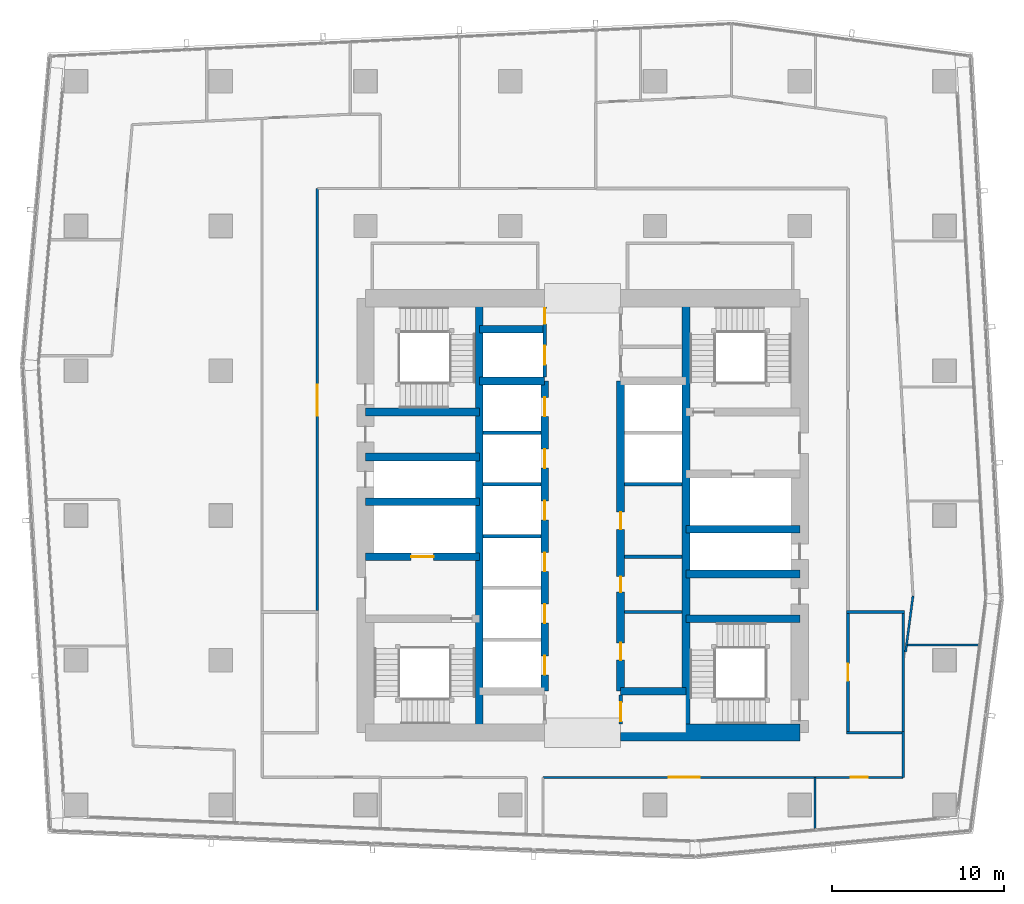
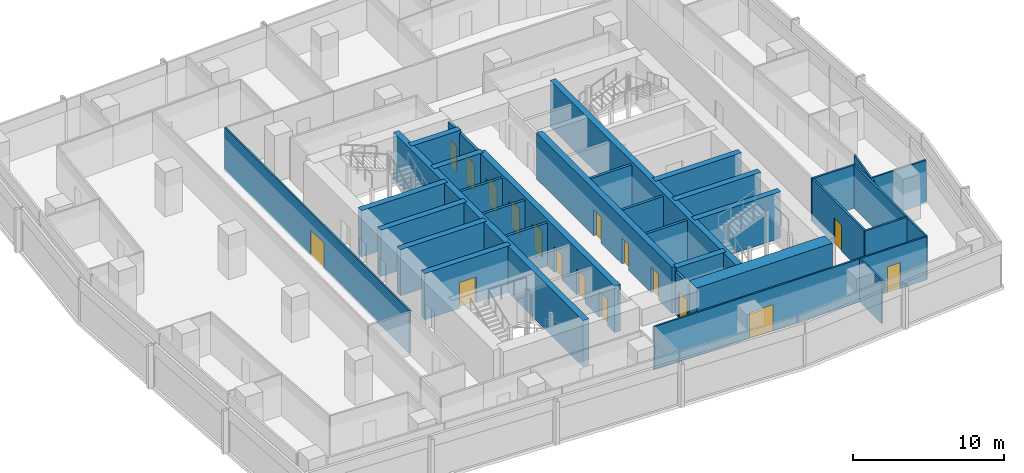
# One storey, part 28 of 38: 35 walls, 17 doors, 17 openings.
"""IFC4 building model written with IfcOpenShell, lengths in metres."""

from ifc_helpers import new_model, si_unit, direction, frame, frame_2d, origin, place, context, subcontext, project, spatial, rectangle, extrude, material, layer, layer_set, type_object, element, fill, save


model = new_model("IFC4")

# Units and contexts
model_context = context("Model", 3, precision=1e-05, world=origin(), true_north=direction((0.0, 1.0)))
body_context = subcontext(model_context, "Body", "Model", "MODEL_VIEW")
ifc_project = project(units=[si_unit("LENGTHUNIT", "METRE"), si_unit("AREAUNIT", "SQUARE_METRE"), si_unit("VOLUMEUNIT", "CUBIC_METRE"), si_unit("PLANEANGLEUNIT", "RADIAN"), si_unit("MASSUNIT", "GRAM", prefix="KILO")], contexts=[model_context])

# Site, building, storey
site_placement = place(None, origin())
site = spatial("IfcSite", under=ifc_project, at=site_placement, CompositionType="ELEMENT")
building_placement = place(site_placement, origin())
building = spatial("IfcBuilding", under=site, at=building_placement, Name="Rekha Terrace Tower", CompositionType="ELEMENT")
storey_placement = place(building_placement, frame((0.0, 0.0, 198.949951171875)))
storey = spatial("IfcBuildingStorey", under=building, at=storey_placement, Name="L50", CompositionType="ELEMENT", Elevation=198.949951171875)

# Walls
ifc_material_1 = material(Name="Concrete M60", Category="concrete")
ifc_layer_1 = layer(ifc_material_1, 0.449951171875)
ifc_layer_set_1 = layer_set([ifc_layer_1], Name="Concrete M60")
wall_type_1 = type_object("IfcWallType", Name="CI3 450 core internal shear wall", PredefinedType="SHEAR", material=ifc_layer_set_1)
for number, where, z_axis, x_axis, name in (
    (1, (31.800048828125, 21.0, 0.0), (0.0, 0.0, 1.0), (0.0, 1.0, 0.0), "Core wall X318 L50"),
    (2, (43.800048828125, 21.0, 0.0), (0.0, 0.0, 1.0), (0.0, 1.0, 0.0), "Core wall X438 L50"),
):
    element("IfcWall", number, at=place(storey_placement, frame(where, z_axis=z_axis, x_axis=x_axis)), inside=storey, type_object=wall_type_1, Name=name, PredefinedType="SHEAR", context=body_context, shape_type="SweptSolid", body=[
        extrude(rectangle(XDim=25.199951171875, YDim=0.449951171875, at=frame_2d((12.60009765625, 0.0))), origin(), (0.0, 0.0, 1.0), 3.75),
    ])

# Wall, openings, doors
wall_1_placement = place(storey_placement, frame((35.60009765625, 23.39990234375, 0.0), z_axis=(0.0, 0.0, 1.0), x_axis=(0.0, 1.0, 0.0)))
wall_1 = element("IfcWall", 3, at=wall_1_placement, inside=storey, type_object=wall_type_1, Name="Core wall X356 L50", PredefinedType="SHEAR", context=body_context, shape_type="SweptSolid", body=[
    extrude(rectangle(XDim=18.0, YDim=0.449951171875, at=frame_2d((9.0, 0.0))), origin(), (0.0, 0.0, 1.0), 3.75),
])
opening_1_placement = place(wall_1_placement, frame((0.949951171875, 0.0, 0.0)))
opening_1 = element("IfcOpeningElement", 4, at=opening_1_placement, cuts=wall_1, Name="Opening LD1", PredefinedType="OPENING", context=body_context, shape_type="SweptSolid", body=[
    extrude(rectangle(XDim=1.10009765625, YDim=2.10009765625, at=frame_2d((0.550048828125, 1.050048828125))), frame((0.0, 0.23486328125, 0.0), z_axis=(0.0, -1.0, 0.0), x_axis=(1.0, 0.0, 0.0)), (0.0, 0.0, 1.0), 0.469970703125),
])
opening_2_placement = place(wall_1_placement, frame((3.949951171875, 0.0, 0.0)))
opening_2 = element("IfcOpeningElement", 5, at=opening_2_placement, cuts=wall_1, Name="Opening LD1", PredefinedType="OPENING", context=body_context, shape_type="SweptSolid", body=[
    extrude(rectangle(XDim=1.10009765625, YDim=2.10009765625, at=frame_2d((0.550048828125, 1.050048828125))), frame((0.0, 0.23486328125, 0.0), z_axis=(0.0, -1.0, 0.0), x_axis=(1.0, 0.0, 0.0)), (0.0, 0.0, 1.0), 0.469970703125),
])
opening_3_placement = place(wall_1_placement, frame((6.949951171875, 0.0, 0.0)))
opening_3 = element("IfcOpeningElement", 6, at=opening_3_placement, cuts=wall_1, Name="Opening LD1", PredefinedType="OPENING", context=body_context, shape_type="SweptSolid", body=[
    extrude(rectangle(XDim=1.10009765625, YDim=2.10009765625, at=frame_2d((0.550048828125, 1.050048828125))), frame((0.0, 0.23486328125, 0.0), z_axis=(0.0, -1.0, 0.0), x_axis=(1.0, 0.0, 0.0)), (0.0, 0.0, 1.0), 0.469970703125),
])
opening_4_placement = place(wall_1_placement, frame((9.949951171875, 0.0, 0.0)))
opening_4 = element("IfcOpeningElement", 7, at=opening_4_placement, cuts=wall_1, Name="Opening LD1", PredefinedType="OPENING", context=body_context, shape_type="SweptSolid", body=[
    extrude(rectangle(XDim=1.10009765625, YDim=2.10009765625, at=frame_2d((0.550048828125, 1.050048828125))), frame((0.0, 0.23486328125, 0.0), z_axis=(0.0, -1.0, 0.0), x_axis=(1.0, 0.0, 0.0)), (0.0, 0.0, 1.0), 0.469970703125),
])
opening_5_placement = place(wall_1_placement, frame((12.949951171875, 0.0, 0.0)))
opening_5 = element("IfcOpeningElement", 8, at=opening_5_placement, cuts=wall_1, Name="Opening LD1", PredefinedType="OPENING", context=body_context, shape_type="SweptSolid", body=[
    extrude(rectangle(XDim=1.10009765625, YDim=2.10009765625, at=frame_2d((0.550048828125, 1.050048828125))), frame((0.0, 0.23486328125, 0.0), z_axis=(0.0, -1.0, 0.0), x_axis=(1.0, 0.0, 0.0)), (0.0, 0.0, 1.0), 0.469970703125),
])
opening_6_placement = place(wall_1_placement, frame((15.949951171875, 0.0, 0.0)))
opening_6 = element("IfcOpeningElement", 9, at=opening_6_placement, cuts=wall_1, Name="Opening LD1", PredefinedType="OPENING", context=body_context, shape_type="SweptSolid", body=[
    extrude(rectangle(XDim=1.10009765625, YDim=2.10009765625, at=frame_2d((0.550048828125, 1.050048828125))), frame((0.0, 0.23486328125, 0.0), z_axis=(0.0, -1.0, 0.0), x_axis=(1.0, 0.0, 0.0)), (0.0, 0.0, 1.0), 0.469970703125),
])
ifc_material_2 = material(Name="Stainless steel sliding landing door", Category="steel")
door_type_1 = type_object("IfcDoorType", Name="LD1 1100x2100 lift landing door", OperationType="SLIDING_TO_LEFT", PredefinedType="USERDEFINED", material=ifc_material_2)
door_1_placement = place(opening_1_placement, origin())
door_1 = element("IfcDoor", 10, at=door_1_placement, inside=storey, type_object=door_type_1, Name="Lift C1 landing door L50", ObjectType="LIFT LANDING DOOR", OperationType="SLIDING_TO_LEFT", OverallHeight=2.10009765625, OverallWidth=1.10009765625, PredefinedType="USERDEFINED", context=body_context, shape_type="SweptSolid", body=[
    extrude(rectangle(XDim=1.10009765625, YDim=2.10009765625, at=frame_2d((0.550048828125, 1.050048828125))), frame((0.0, 0.02490234375, 0.0), z_axis=(0.0, -1.0, 0.0), x_axis=(1.0, 0.0, 0.0)), (0.0, 0.0, 1.0), 0.050048828125),
])
fill(opening_1, door_1)
door_2_placement = place(opening_2_placement, origin())
door_2 = element("IfcDoor", 11, at=door_2_placement, inside=storey, type_object=door_type_1, Name="Lift C2 landing door L50", ObjectType="LIFT LANDING DOOR", OperationType="SLIDING_TO_LEFT", OverallHeight=2.10009765625, OverallWidth=1.10009765625, PredefinedType="USERDEFINED", context=body_context, shape_type="SweptSolid", body=[
    extrude(rectangle(XDim=1.10009765625, YDim=2.10009765625, at=frame_2d((0.550048828125, 1.050048828125))), frame((0.0, 0.02490234375, 0.0), z_axis=(0.0, -1.0, 0.0), x_axis=(1.0, 0.0, 0.0)), (0.0, 0.0, 1.0), 0.050048828125),
])
fill(opening_2, door_2)
door_3_placement = place(opening_3_placement, origin())
door_3 = element("IfcDoor", 12, at=door_3_placement, inside=storey, type_object=door_type_1, Name="Lift C3 landing door L50", ObjectType="LIFT LANDING DOOR", OperationType="SLIDING_TO_LEFT", OverallHeight=2.10009765625, OverallWidth=1.10009765625, PredefinedType="USERDEFINED", context=body_context, shape_type="SweptSolid", body=[
    extrude(rectangle(XDim=1.10009765625, YDim=2.10009765625, at=frame_2d((0.550048828125, 1.050048828125))), frame((0.0, 0.02490234375, 0.0), z_axis=(0.0, -1.0, 0.0), x_axis=(1.0, 0.0, 0.0)), (0.0, 0.0, 1.0), 0.050048828125),
])
fill(opening_3, door_3)
door_4_placement = place(opening_4_placement, origin())
door_4 = element("IfcDoor", 13, at=door_4_placement, inside=storey, type_object=door_type_1, Name="Lift C4 landing door L50", ObjectType="LIFT LANDING DOOR", OperationType="SLIDING_TO_LEFT", OverallHeight=2.10009765625, OverallWidth=1.10009765625, PredefinedType="USERDEFINED", context=body_context, shape_type="SweptSolid", body=[
    extrude(rectangle(XDim=1.10009765625, YDim=2.10009765625, at=frame_2d((0.550048828125, 1.050048828125))), frame((0.0, 0.02490234375, 0.0), z_axis=(0.0, -1.0, 0.0), x_axis=(1.0, 0.0, 0.0)), (0.0, 0.0, 1.0), 0.050048828125),
])
fill(opening_4, door_4)
door_5_placement = place(opening_5_placement, origin())
door_5 = element("IfcDoor", 14, at=door_5_placement, inside=storey, type_object=door_type_1, Name="Lift C5 landing door L50", ObjectType="LIFT LANDING DOOR", OperationType="SLIDING_TO_LEFT", OverallHeight=2.10009765625, OverallWidth=1.10009765625, PredefinedType="USERDEFINED", context=body_context, shape_type="SweptSolid", body=[
    extrude(rectangle(XDim=1.10009765625, YDim=2.10009765625, at=frame_2d((0.550048828125, 1.050048828125))), frame((0.0, 0.02490234375, 0.0), z_axis=(0.0, -1.0, 0.0), x_axis=(1.0, 0.0, 0.0)), (0.0, 0.0, 1.0), 0.050048828125),
])
fill(opening_5, door_5)
door_6_placement = place(opening_6_placement, origin())
door_6 = element("IfcDoor", 15, at=door_6_placement, inside=storey, type_object=door_type_1, Name="Lift C6 landing door L50", ObjectType="LIFT LANDING DOOR", OperationType="SLIDING_TO_LEFT", OverallHeight=2.10009765625, OverallWidth=1.10009765625, PredefinedType="USERDEFINED", context=body_context, shape_type="SweptSolid", body=[
    extrude(rectangle(XDim=1.10009765625, YDim=2.10009765625, at=frame_2d((0.550048828125, 1.050048828125))), frame((0.0, 0.02490234375, 0.0), z_axis=(0.0, -1.0, 0.0), x_axis=(1.0, 0.0, 0.0)), (0.0, 0.0, 1.0), 0.050048828125),
])
fill(opening_6, door_6)

wall_2_placement = place(storey_placement, frame((40.0, 23.39990234375, 0.0), z_axis=(0.0, 0.0, 1.0), x_axis=(0.0, 1.0, 0.0)))
wall_2 = element("IfcWall", 16, at=wall_2_placement, inside=storey, type_object=wall_type_1, Name="Core wall X400 L50", PredefinedType="SHEAR", context=body_context, shape_type="SweptSolid", body=[
    extrude(rectangle(XDim=18.0, YDim=0.449951171875, at=frame_2d((9.0, 0.0))), origin(), (0.0, 0.0, 1.0), 3.75),
])
opening_7_placement = place(wall_2_placement, frame((1.800048828125, 0.0, 0.0)))
opening_7 = element("IfcOpeningElement", 17, at=opening_7_placement, cuts=wall_2, Name="Opening D3", PredefinedType="OPENING", context=body_context, shape_type="SweptSolid", body=[
    extrude(rectangle(XDim=1.0, YDim=2.10009765625, at=frame_2d((0.5, 1.050048828125))), frame((0.0, 0.23486328125, 0.0), z_axis=(0.0, -1.0, 0.0), x_axis=(1.0, 0.0, 0.0)), (0.0, 0.0, 1.0), 0.469970703125),
])
opening_8_placement = place(wall_2_placement, frame((5.75, 0.0, 0.0)))
opening_8 = element("IfcOpeningElement", 18, at=opening_8_placement, cuts=wall_2, Name="Opening D5", PredefinedType="OPENING", context=body_context, shape_type="SweptSolid", body=[
    extrude(rectangle(XDim=0.89990234375, YDim=2.10009765625, at=frame_2d((0.449951171875, 1.050048828125))), frame((0.0, 0.23486328125, 0.0), z_axis=(0.0, -1.0, 0.0), x_axis=(1.0, 0.0, 0.0)), (0.0, 0.0, 1.0), 0.469970703125),
])
opening_9_placement = place(wall_2_placement, frame((9.39990234375, 0.0, 0.0)))
opening_9 = element("IfcOpeningElement", 19, at=opening_9_placement, cuts=wall_2, Name="Opening D3", PredefinedType="OPENING", context=body_context, shape_type="SweptSolid", body=[
    extrude(rectangle(XDim=1.0, YDim=2.10009765625, at=frame_2d((0.5, 1.050048828125))), frame((0.0, 0.23486328125, 0.0), z_axis=(0.0, -1.0, 0.0), x_axis=(1.0, 0.0, 0.0)), (0.0, 0.0, 1.0), 0.469970703125),
])
ifc_material_3 = material(Name="Laminated timber fire door", Category="wood")
door_type_2 = type_object("IfcDoorType", Name="D3 1000x2100 WC door", OperationType="SINGLE_SWING_LEFT", PredefinedType="DOOR", material=ifc_material_3)
door_7_placement = place(opening_7_placement, origin())
door_7 = element("IfcDoor", 20, at=door_7_placement, inside=storey, type_object=door_type_2, Name="Door staff wc L50", OperationType="SINGLE_SWING_LEFT", OverallHeight=2.10009765625, OverallWidth=1.0, PredefinedType="DOOR", context=body_context, shape_type="SweptSolid", body=[
    extrude(rectangle(XDim=1.0, YDim=2.10009765625, at=frame_2d((0.5, 1.050048828125))), frame((0.0, 0.02490234375, 0.0), z_axis=(0.0, -1.0, 0.0), x_axis=(1.0, 0.0, 0.0)), (0.0, 0.0, 1.0), 0.050048828125),
])
fill(opening_7, door_7)
door_8_placement = place(opening_9_placement, origin())
door_8 = element("IfcDoor", 21, at=door_8_placement, inside=storey, type_object=door_type_2, Name="Door staff wc L50", OperationType="SINGLE_SWING_LEFT", OverallHeight=2.10009765625, OverallWidth=1.0, PredefinedType="DOOR", context=body_context, shape_type="SweptSolid", body=[
    extrude(rectangle(XDim=1.0, YDim=2.10009765625, at=frame_2d((0.5, 1.050048828125))), frame((0.0, 0.02490234375, 0.0), z_axis=(0.0, -1.0, 0.0), x_axis=(1.0, 0.0, 0.0)), (0.0, 0.0, 1.0), 0.050048828125),
])
fill(opening_9, door_8)
ifc_material_4 = material(Name="Steel fire door", Category="steel")
door_type_3 = type_object("IfcDoorType", Name="D5 900x2100 riser access door", OperationType="SINGLE_SWING_LEFT", PredefinedType="DOOR", material=ifc_material_4)
door_9_placement = place(opening_8_placement, origin())
door_9 = element("IfcDoor", 22, at=door_9_placement, inside=storey, type_object=door_type_3, Name="Door records store L50", OperationType="SINGLE_SWING_LEFT", OverallHeight=2.10009765625, OverallWidth=0.89990234375, PredefinedType="DOOR", context=body_context, shape_type="SweptSolid", body=[
    extrude(rectangle(XDim=0.89990234375, YDim=2.10009765625, at=frame_2d((0.449951171875, 1.050048828125))), frame((0.0, 0.02490234375, 0.0), z_axis=(0.0, -1.0, 0.0), x_axis=(1.0, 0.0, 0.0)), (0.0, 0.0, 1.0), 0.050048828125),
])
fill(opening_8, door_9)

# Walls
for number, where, z_axis, x_axis, name in (
    (23, (31.800048828125, 41.39990234375, 0.0), (0.0, 0.0, 1.0), (1.0, 0.0, 0.0), "Core wall Y414W L50"),
    (24, (31.800048828125, 44.39990234375, 0.0), (0.0, 0.0, 1.0), (1.0, 0.0, 0.0), "Core wall Y444W L50"),
    (25, (40.0, 23.39990234375, 0.0), (0.0, 0.0, 1.0), (1.0, 0.0, 0.0), "Core wall Y234E L50"),
):
    element("IfcWall", number, at=place(storey_placement, frame(where, z_axis=z_axis, x_axis=x_axis)), inside=storey, type_object=wall_type_1, Name=name, PredefinedType="SHEAR", context=body_context, shape_type="SweptSolid", body=[
        extrude(rectangle(XDim=3.800048828125, YDim=0.449951171875, at=frame_2d((1.89990234375, 0.0))), origin(), (0.0, 0.0, 1.0), 3.75),
    ])

# Wall, opening, door
wall_3_placement = place(storey_placement, frame((25.199951171875, 31.199951171875, 0.0), z_axis=(0.0, 0.0, 1.0), x_axis=(1.0, 0.0, 0.0)))
wall_3 = element("IfcWall", 26, at=wall_3_placement, inside=storey, type_object=wall_type_1, Name="Core wall Y312W L50", PredefinedType="SHEAR", context=body_context, shape_type="SweptSolid", body=[
    extrude(rectangle(XDim=6.60009765625, YDim=0.449951171875, at=frame_2d((3.300048828125, 0.0))), origin(), (0.0, 0.0, 1.0), 3.75),
])
opening_10_placement = place(wall_3_placement, frame((2.64990234375, 0.0, 0.0)))
opening_10 = element("IfcOpeningElement", 27, at=opening_10_placement, cuts=wall_3, Name="Opening LD2", PredefinedType="OPENING", context=body_context, shape_type="SweptSolid", body=[
    extrude(rectangle(XDim=1.300048828125, YDim=2.10009765625, at=frame_2d((0.64990234375, 1.050048828125))), frame((0.0, 0.23486328125, 0.0), z_axis=(0.0, -1.0, 0.0), x_axis=(1.0, 0.0, 0.0)), (0.0, 0.0, 1.0), 0.469970703125),
])
door_type_4 = type_object("IfcDoorType", Name="LD2 1300x2100 fire lift landing door", OperationType="SLIDING_TO_LEFT", PredefinedType="USERDEFINED", material=ifc_material_2)
door_10_placement = place(opening_10_placement, origin())
door_10 = element("IfcDoor", 28, at=door_10_placement, inside=storey, type_object=door_type_4, Name="Lift FL1 landing door L50", ObjectType="LIFT LANDING DOOR", OperationType="SLIDING_TO_LEFT", OverallHeight=2.10009765625, OverallWidth=1.300048828125, PredefinedType="USERDEFINED", context=body_context, shape_type="SweptSolid", body=[
    extrude(rectangle(XDim=1.300048828125, YDim=2.10009765625, at=frame_2d((0.64990234375, 1.050048828125))), frame((0.0, 0.02490234375, 0.0), z_axis=(0.0, -1.0, 0.0), x_axis=(1.0, 0.0, 0.0)), (0.0, 0.0, 1.0), 0.050048828125),
])
fill(opening_10, door_10)

# Walls
for number, where, z_axis, x_axis, name in (
    (29, (25.199951171875, 34.39990234375, 0.0), (0.0, 0.0, 1.0), (1.0, 0.0, 0.0), "Core wall Y344W L50"),
    (30, (25.199951171875, 37.0, 0.0), (0.0, 0.0, 1.0), (1.0, 0.0, 0.0), "Core wall Y370W L50"),
    (31, (25.199951171875, 39.60009765625, 0.0), (0.0, 0.0, 1.0), (1.0, 0.0, 0.0), "Core wall Y396W L50"),
):
    element("IfcWall", number, at=place(storey_placement, frame(where, z_axis=z_axis, x_axis=x_axis)), inside=storey, type_object=wall_type_1, Name=name, PredefinedType="SHEAR", context=body_context, shape_type="SweptSolid", body=[
        extrude(rectangle(XDim=6.60009765625, YDim=0.449951171875, at=frame_2d((3.300048828125, 0.0))), origin(), (0.0, 0.0, 1.0), 3.75),
    ])
for number, where, z_axis, x_axis, name in (
    (32, (43.800048828125, 27.60009765625, 0.0), (0.0, 0.0, 1.0), (1.0, 0.0, 0.0), "Core wall Y276E L50"),
    (33, (43.800048828125, 30.199951171875, 0.0), (0.0, 0.0, 1.0), (1.0, 0.0, 0.0), "Core wall Y302E L50"),
    (34, (43.800048828125, 32.800048828125, 0.0), (0.0, 0.0, 1.0), (1.0, 0.0, 0.0), "Core wall Y328E L50"),
):
    element("IfcWall", number, at=place(storey_placement, frame(where, z_axis=z_axis, x_axis=x_axis)), inside=storey, type_object=wall_type_1, Name=name, PredefinedType="SHEAR", context=body_context, shape_type="SweptSolid", body=[
        extrude(rectangle(XDim=6.599853515625, YDim=0.449951171875, at=frame_2d((3.2998046875, 0.0))), origin(), (0.0, 0.0, 1.0), 3.75),
    ])
ifc_layer_2 = layer(ifc_material_1, 1.0)
ifc_layer_set_2 = layer_set([ifc_layer_2], Name="Concrete M60")
wall_type_2 = type_object("IfcWallType", Name="SW3 1000 core outer shear wall", PredefinedType="SHEAR", material=ifc_layer_set_2)
wall_4_placement = place(storey_placement, frame((40.0, 21.0, 0.0), z_axis=(0.0, 0.0, 1.0), x_axis=(1.0, 0.0, 0.0)))
element("IfcWall", 35, at=wall_4_placement, inside=storey, type_object=wall_type_2, Name="Core wall S2 L50", PredefinedType="SHEAR", context=body_context, shape_type="SweptSolid", body=[
    extrude(rectangle(XDim=10.39990234375, YDim=1.0, at=frame_2d((5.199951171875, 0.0))), origin(), (0.0, 0.0, 1.0), 3.75),
])
ifc_material_5 = material(Name="Concrete block masonry, 1 hour", Category="masonry")
ifc_layer_3 = layer(ifc_material_5, 0.14990234375)
ifc_layer_set_3 = layer_set([ifc_layer_3], Name="Concrete block masonry, 1 hour")
wall_type_3 = type_object("IfcWallType", Name="WP2 150 tenancy partition", PredefinedType="PARTITIONING", material=ifc_layer_set_3)
for number, where, z_axis, x_axis, name in (
    (36, (53.125, 21.0, 0.0), (0.0, 0.0, 1.0), (1.0, 0.0, 0.0), "Men's WC wall L50"),
    (37, (53.125, 28.0, 0.0), (0.0, 0.0, 1.0), (1.0, 0.0, 0.0), "Men's WC wall L50"),
):
    element("IfcWall", number, at=place(storey_placement, frame(where, z_axis=z_axis, x_axis=x_axis)), inside=storey, type_object=wall_type_3, Name=name, PredefinedType="PARTITIONING", context=body_context, shape_type="SweptSolid", body=[
        extrude(rectangle(XDim=3.35009765625, YDim=0.14990234375, at=frame_2d((1.675048828125, 0.0))), origin(), (0.0, 0.0, 1.0), 3.5),
    ])

# Wall, opening, door
wall_5_placement = place(storey_placement, frame((53.199951171875, 21.074951171875, 0.0), z_axis=(0.0, 0.0, 1.0), x_axis=(0.0, 1.0, 0.0)))
wall_5 = element("IfcWall", 38, at=wall_5_placement, inside=storey, type_object=wall_type_3, Name="Men's WC wall L50", PredefinedType="PARTITIONING", context=body_context, shape_type="SweptSolid", body=[
    extrude(rectangle(XDim=6.85009765625, YDim=0.14990234375, at=frame_2d((3.425048828125, 0.0))), origin(), (0.0, 0.0, 1.0), 3.5),
])
opening_11_placement = place(wall_5_placement, frame((2.925048828125, 0.0, 0.0)))
opening_11 = element("IfcOpeningElement", 39, at=opening_11_placement, cuts=wall_5, Name="Opening D3", PredefinedType="OPENING", context=body_context, shape_type="SweptSolid", body=[
    extrude(rectangle(XDim=1.0, YDim=2.10009765625, at=frame_2d((0.5, 1.050048828125))), frame((0.0, 0.0849609375, 0.0), z_axis=(0.0, -1.0, 0.0), x_axis=(1.0, 0.0, 0.0)), (0.0, 0.0, 1.0), 0.169921875),
])
door_11_placement = place(opening_11_placement, origin())
door_11 = element("IfcDoor", 40, at=door_11_placement, inside=storey, type_object=door_type_2, Name="Door men's wc L50", OperationType="SINGLE_SWING_LEFT", OverallHeight=2.10009765625, OverallWidth=1.0, PredefinedType="DOOR", context=body_context, shape_type="SweptSolid", body=[
    extrude(rectangle(XDim=1.0, YDim=2.10009765625, at=frame_2d((0.5, 1.050048828125))), frame((0.0, 0.02490234375, 0.0), z_axis=(0.0, -1.0, 0.0), x_axis=(1.0, 0.0, 0.0)), (0.0, 0.0, 1.0), 0.050048828125),
])
fill(opening_11, door_11)

# Walls
wall_6_placement = place(storey_placement, frame((56.39990234375, 21.074951171875, 0.0), z_axis=(0.0, 0.0, 1.0), x_axis=(0.0, 1.0, 0.0)))
element("IfcWall", 41, at=wall_6_placement, inside=storey, type_object=wall_type_3, Name="Men's WC wall L50", PredefinedType="PARTITIONING", context=body_context, shape_type="SweptSolid", body=[
    extrude(rectangle(XDim=6.85009765625, YDim=0.14990234375, at=frame_2d((3.425048828125, 0.0))), origin(), (0.0, 0.0, 1.0), 3.5),
])
ifc_material_6 = material(Name="Two layers of fire-rated gypsum board each side on steel studs, acoustic quilt, 1 hour", Category="steel")
ifc_layer_4 = layer(ifc_material_6, 0.125)
ifc_layer_set_4 = layer_set([ifc_layer_4], Name="Two layers of fire-rated gypsum board each side on steel studs, acoustic quilt, 1 hour")
wall_type_4 = type_object("IfcWallType", Name="WP3 125 office partition", PredefinedType="PARTITIONING", material=ifc_layer_set_4)
wall_7_placement = place(storey_placement, frame((51.291015625, 15.44189453125, 0.0), z_axis=(0.0, 0.0, 1.0), x_axis=(0.0, 1.0, 0.0)))
element("IfcWall", 42, at=wall_7_placement, inside=storey, type_object=wall_type_4, Name="Partition L50-02", PredefinedType="PARTITIONING", context=body_context, shape_type="SweptSolid", body=[
    extrude(rectangle(XDim=2.9580078125, YDim=0.125, at=frame_2d((1.47900390625, 0.0))), origin(), (0.0, 0.0, 1.0), 3.5),
])

# Wall, opening, door
wall_8_placement = place(storey_placement, frame((51.291015625, 18.39990234375, 0.0), z_axis=(0.0, 0.0, 1.0), x_axis=(1.0, 0.0, 0.0)))
wall_8 = element("IfcWall", 43, at=wall_8_placement, inside=storey, type_object=wall_type_4, Name="Partition L50-02", PredefinedType="PARTITIONING", context=body_context, shape_type="SweptSolid", body=[
    extrude(rectangle(XDim=5.10888671875, YDim=0.125, at=frame_2d((2.554443359375, 0.0))), origin(), (0.0, 0.0, 1.0), 3.5),
])
opening_12_placement = place(wall_8_placement, frame((2.054931640625, 0.0, 0.0)))
opening_12 = element("IfcOpeningElement", 44, at=opening_12_placement, cuts=wall_8, Name="Opening D9", PredefinedType="OPENING", context=body_context, shape_type="SweptSolid", body=[
    extrude(rectangle(XDim=1.0, YDim=2.10009765625, at=frame_2d((0.5, 1.050048828125))), frame((0.0, 0.072509765625, 0.0), z_axis=(0.0, -1.0, 0.0), x_axis=(1.0, 0.0, 0.0)), (0.0, 0.0, 1.0), 0.14501953125),
])
ifc_material_7 = material(Name="Timber fire door", Category="wood")
door_type_5 = type_object("IfcDoorType", Name="D9 1000x2100 office door", OperationType="SINGLE_SWING_LEFT", PredefinedType="DOOR", material=ifc_material_7)
door_12_placement = place(opening_12_placement, origin())
door_12 = element("IfcDoor", 45, at=door_12_placement, inside=storey, type_object=door_type_5, Name="Door director's office L50", OperationType="SINGLE_SWING_LEFT", OverallHeight=2.10009765625, OverallWidth=1.0, PredefinedType="DOOR", context=body_context, shape_type="SweptSolid", body=[
    extrude(rectangle(XDim=1.0, YDim=2.10009765625, at=frame_2d((0.5, 1.050048828125))), frame((0.0, 0.02490234375, 0.0), z_axis=(0.0, -1.0, 0.0), x_axis=(1.0, 0.0, 0.0)), (0.0, 0.0, 1.0), 0.050048828125),
])
fill(opening_12, door_12)

# Walls
wall_9_placement = place(storey_placement, frame((56.39990234375, 18.39990234375, 0.0), z_axis=(0.0, 0.0, 1.0), x_axis=(0.0, 1.0, 0.0)))
element("IfcWall", 46, at=wall_9_placement, inside=storey, type_object=wall_type_4, Name="Partition L50-02", PredefinedType="PARTITIONING", context=body_context, shape_type="SweptSolid", body=[
    extrude(rectangle(XDim=2.675048828125, YDim=0.125, at=frame_2d((1.33740234375, 0.0))), origin(), (0.0, 0.0, 1.0), 3.5),
])
wall_10_placement = place(storey_placement, frame((56.5380859375, 25.675048828125, 0.0), z_axis=(0.0, 0.0, 1.0), x_axis=(0.131114399239, 0.991367244926, 0.0)))
element("IfcWall", 47, at=wall_10_placement, inside=storey, type_object=wall_type_4, Name="Partition L50-02", PredefinedType="PARTITIONING", context=body_context, shape_type="SweptSolid", body=[
    extrude(rectangle(XDim=0.41162109375, YDim=0.125, at=frame_2d((0.205810546875, 0.0))), origin(), (0.0, 0.0, 1.0), 3.5),
])
wall_11_placement = place(storey_placement, frame((56.592041015625, 26.0830078125, 0.0), z_axis=(0.0, 0.0, 1.0), x_axis=(1.0, 0.0, 0.0)))
element("IfcWall", 48, at=wall_11_placement, inside=storey, type_object=wall_type_4, Name="Partition L50-02", PredefinedType="PARTITIONING", context=body_context, shape_type="SweptSolid", body=[
    extrude(rectangle(XDim=4.18603515625, YDim=0.125, at=frame_2d((2.093017578125, 0.0))), origin(), (0.0, 0.0, 1.0), 3.5),
])
wall_12_placement = place(storey_placement, frame((56.592041015625, 26.083984375, 0.0), z_axis=(0.0, 0.0, 1.0), x_axis=(0.131274902855, 0.991346004118, 0.0)))
element("IfcWall", 49, at=wall_12_placement, inside=storey, type_object=wall_type_4, Name="Partition L50-03", PredefinedType="PARTITIONING", context=body_context, shape_type="SweptSolid", body=[
    extrude(rectangle(XDim=2.87890625, YDim=0.125, at=frame_2d((1.439453125, 0.0))), origin(), (0.0, 0.0, 1.0), 3.5),
])

# Wall, opening, door
wall_13_placement = place(storey_placement, frame((22.39990234375, 52.574951171875, 0.0), z_axis=(0.0, 0.0, 1.0), x_axis=(0.0, -1.0, 0.0)))
wall_13 = element("IfcWall", 50, at=wall_13_placement, inside=storey, type_object=wall_type_4, Name="Partition L50-17", PredefinedType="PARTITIONING", context=body_context, shape_type="SweptSolid", body=[
    extrude(rectangle(XDim=24.5, YDim=0.125, at=frame_2d((12.25, 0.0))), origin(), (0.0, 0.0, 1.0), 3.5),
])
opening_13_placement = place(wall_13_placement, frame((11.387939453125, 0.0, 0.0)))
opening_13 = element("IfcOpeningElement", 51, at=opening_13_placement, cuts=wall_13, Name="Opening D8", PredefinedType="OPENING", context=body_context, shape_type="SweptSolid", body=[
    extrude(rectangle(XDim=1.800048828125, YDim=2.10009765625, at=frame_2d((0.89990234375, 1.050048828125))), frame((0.0, 0.072509765625, 0.0), z_axis=(0.0, -1.0, 0.0), x_axis=(1.0, 0.0, 0.0)), (0.0, 0.0, 1.0), 0.14501953125),
])
door_type_6 = type_object("IfcDoorType", Name="D8 1800x2100 double leaf door", OperationType="DOUBLE_DOOR_SINGLE_SWING", PredefinedType="DOOR", material=ifc_material_7)
door_13_placement = place(opening_13_placement, origin())
door_13 = element("IfcDoor", 52, at=door_13_placement, inside=storey, type_object=door_type_6, Name="Door reception L50", OperationType="DOUBLE_DOOR_SINGLE_SWING", OverallHeight=2.10009765625, OverallWidth=1.800048828125, PredefinedType="DOOR", context=body_context, shape_type="SweptSolid", body=[
    extrude(rectangle(XDim=1.800048828125, YDim=2.10009765625, at=frame_2d((0.89990234375, 1.050048828125))), frame((0.0, 0.02490234375, 0.0), z_axis=(0.0, -1.0, 0.0), x_axis=(1.0, 0.0, 0.0)), (0.0, 0.0, 1.0), 0.050048828125),
])
fill(opening_13, door_13)

wall_14_placement = place(storey_placement, frame((35.508056640625, 18.39990234375, 0.0), z_axis=(0.0, 0.0, 1.0), x_axis=(1.0, 0.0, 0.0)))
wall_14 = element("IfcWall", 53, at=wall_14_placement, inside=storey, type_object=wall_type_4, Name="Partition L50-18", PredefinedType="PARTITIONING", context=body_context, shape_type="SweptSolid", body=[
    extrude(rectangle(XDim=15.782958984375, YDim=0.125, at=frame_2d((7.8916015625, 0.0))), origin(), (0.0, 0.0, 1.0), 3.5),
])
opening_14_placement = place(wall_14_placement, frame((7.291015625, 0.0, 0.0)))
opening_14 = element("IfcOpeningElement", 54, at=opening_14_placement, cuts=wall_14, Name="Opening D8", PredefinedType="OPENING", context=body_context, shape_type="SweptSolid", body=[
    extrude(rectangle(XDim=1.800048828125, YDim=2.10009765625, at=frame_2d((0.89990234375, 1.050048828125))), frame((0.0, 0.072509765625, 0.0), z_axis=(0.0, -1.0, 0.0), x_axis=(1.0, 0.0, 0.0)), (0.0, 0.0, 1.0), 0.14501953125),
])
door_14_placement = place(opening_14_placement, origin())
door_14 = element("IfcDoor", 55, at=door_14_placement, inside=storey, type_object=door_type_6, Name="Door reference library L50", OperationType="DOUBLE_DOOR_SINGLE_SWING", OverallHeight=2.10009765625, OverallWidth=1.800048828125, PredefinedType="DOOR", context=body_context, shape_type="SweptSolid", body=[
    extrude(rectangle(XDim=1.800048828125, YDim=2.10009765625, at=frame_2d((0.89990234375, 1.050048828125))), frame((0.0, 0.02490234375, 0.0), z_axis=(0.0, -1.0, 0.0), x_axis=(1.0, 0.0, 0.0)), (0.0, 0.0, 1.0), 0.050048828125),
])
fill(opening_14, door_14)

# Walls
ifc_material_8 = material(Name="Solid concrete block masonry, 2 hour", Category="masonry")
ifc_layer_5 = layer(ifc_material_8, 0.199951171875)
ifc_layer_set_5 = layer_set([ifc_layer_5], Name="Solid concrete block masonry, 2 hour")
wall_type_5 = type_object("IfcWallType", Name="WS1 200 stair and shaft enclosure", PredefinedType="PARTITIONING", material=ifc_layer_set_5)
for number, where, z_axis, x_axis, name in (
    (56, (32.02490234375, 32.39990234375, 0.0), (0.0, 0.0, 1.0), (1.0, 0.0, 0.0), "Lift shaft divider L50"),
    (57, (32.02490234375, 35.39990234375, 0.0), (0.0, 0.0, 1.0), (1.0, 0.0, 0.0), "Lift shaft divider L50"),
    (58, (32.02490234375, 38.39990234375, 0.0), (0.0, 0.0, 1.0), (1.0, 0.0, 0.0), "Lift shaft divider L50"),
):
    element("IfcWall", number, at=place(storey_placement, frame(where, z_axis=z_axis, x_axis=x_axis)), inside=storey, type_object=wall_type_5, Name=name, PredefinedType="PARTITIONING", context=body_context, shape_type="SweptSolid", body=[
        extrude(rectangle(XDim=3.35009765625, YDim=0.199951171875, at=frame_2d((1.675048828125, 0.0))), origin(), (0.0, 0.0, 1.0), 3.5),
    ])
wall_15_placement = place(storey_placement, frame((40.22509765625, 35.39990234375, 0.0), z_axis=(0.0, 0.0, 1.0), x_axis=(1.0, 0.0, 0.0)))
element("IfcWall", 59, at=wall_15_placement, inside=storey, type_object=wall_type_5, Name="Lift shaft divider L50", PredefinedType="PARTITIONING", context=body_context, shape_type="SweptSolid", body=[
    extrude(rectangle(XDim=3.349853515625, YDim=0.199951171875, at=frame_2d((1.6748046875, 0.0))), origin(), (0.0, 0.0, 1.0), 3.5),
])

# Wall, opening, door
wall_16_placement = place(storey_placement, frame((40.0, 21.5, 0.0), z_axis=(0.0, 0.0, 1.0), x_axis=(0.0, 1.0, 0.0)))
wall_16 = element("IfcWall", 60, at=wall_16_placement, inside=storey, type_object=wall_type_5, Name="Core partition wca L50", PredefinedType="PARTITIONING", context=body_context, shape_type="SweptSolid", body=[
    extrude(rectangle(XDim=1.675048828125, YDim=0.199951171875, at=frame_2d((0.83740234375, 0.0))), origin(), (0.0, 0.0, 1.0), 3.5),
])
opening_15_placement = place(wall_16_placement, frame((0.14990234375, 0.0, 0.0)))
opening_15 = element("IfcOpeningElement", 61, at=opening_15_placement, cuts=wall_16, Name="Opening D4", PredefinedType="OPENING", context=body_context, shape_type="SweptSolid", body=[
    extrude(rectangle(XDim=1.10009765625, YDim=2.10009765625, at=frame_2d((0.550048828125, 1.050048828125))), frame((0.0, 0.10986328125, 0.0), z_axis=(0.0, -1.0, 0.0), x_axis=(1.0, 0.0, 0.0)), (0.0, 0.0, 1.0), 0.219970703125),
])
door_type_7 = type_object("IfcDoorType", Name="D4 1100x2100 accessible WC door", OperationType="SLIDING_TO_LEFT", PredefinedType="DOOR", material=ifc_material_3)
door_15_placement = place(opening_15_placement, origin())
door_15 = element("IfcDoor", 62, at=door_15_placement, inside=storey, type_object=door_type_7, Name="Door wca L50", OperationType="SLIDING_TO_LEFT", OverallHeight=2.10009765625, OverallWidth=1.10009765625, PredefinedType="DOOR", context=body_context, shape_type="SweptSolid", body=[
    extrude(rectangle(XDim=1.10009765625, YDim=2.10009765625, at=frame_2d((0.550048828125, 1.050048828125))), frame((0.0, 0.02490234375, 0.0), z_axis=(0.0, -1.0, 0.0), x_axis=(1.0, 0.0, 0.0)), (0.0, 0.0, 1.0), 0.050048828125),
])
fill(opening_15, door_15)

# Wall, openings, doors
wall_17_placement = place(storey_placement, frame((35.60009765625, 41.625, 0.0), z_axis=(0.0, 0.0, 1.0), x_axis=(0.0, 1.0, 0.0)))
wall_17 = element("IfcWall", 63, at=wall_17_placement, inside=storey, type_object=wall_type_5, Name="Core partition jansv L50", PredefinedType="PARTITIONING", context=body_context, shape_type="SweptSolid", body=[
    extrude(rectangle(XDim=4.074951171875, YDim=0.199951171875, at=frame_2d((2.03759765625, 0.0))), origin(), (0.0, 0.0, 1.0), 3.5),
])
opening_16_placement = place(wall_17_placement, frame((3.087890625, 0.0, 0.0)))
opening_16 = element("IfcOpeningElement", 64, at=opening_16_placement, cuts=wall_17, Name="Opening D5", PredefinedType="OPENING", context=body_context, shape_type="SweptSolid", body=[
    extrude(rectangle(XDim=0.89990234375, YDim=2.10009765625, at=frame_2d((0.449951171875, 1.050048828125))), frame((0.0, 0.10986328125, 0.0), z_axis=(0.0, -1.0, 0.0), x_axis=(1.0, 0.0, 0.0)), (0.0, 0.0, 1.0), 0.219970703125),
])
opening_17_placement = place(wall_17_placement, frame((0.72509765625, 0.0, 0.0)))
opening_17 = element("IfcOpeningElement", 65, at=opening_17_placement, cuts=wall_17, Name="Opening LD1", PredefinedType="OPENING", context=body_context, shape_type="SweptSolid", body=[
    extrude(rectangle(XDim=1.10009765625, YDim=2.10009765625, at=frame_2d((0.550048828125, 1.050048828125))), frame((0.0, 0.10986328125, 0.0), z_axis=(0.0, -1.0, 0.0), x_axis=(1.0, 0.0, 0.0)), (0.0, 0.0, 1.0), 0.219970703125),
])
door_16_placement = place(opening_16_placement, origin())
door_16 = element("IfcDoor", 66, at=door_16_placement, inside=storey, type_object=door_type_3, Name="Door janitor room L50", OperationType="SINGLE_SWING_LEFT", OverallHeight=2.10009765625, OverallWidth=0.89990234375, PredefinedType="DOOR", context=body_context, shape_type="SweptSolid", body=[
    extrude(rectangle(XDim=0.89990234375, YDim=2.10009765625, at=frame_2d((0.449951171875, 1.050048828125))), frame((0.0, 0.02490234375, 0.0), z_axis=(0.0, -1.0, 0.0), x_axis=(1.0, 0.0, 0.0)), (0.0, 0.0, 1.0), 0.050048828125),
])
fill(opening_16, door_16)
door_17_placement = place(opening_17_placement, origin())
door_17 = element("IfcDoor", 67, at=door_17_placement, inside=storey, type_object=door_type_1, Name="Lift SV1 landing door L50", ObjectType="LIFT LANDING DOOR", OperationType="SLIDING_TO_LEFT", OverallHeight=2.10009765625, OverallWidth=1.10009765625, PredefinedType="USERDEFINED", context=body_context, shape_type="SweptSolid", body=[
    extrude(rectangle(XDim=1.10009765625, YDim=2.10009765625, at=frame_2d((0.550048828125, 1.050048828125))), frame((0.0, 0.02490234375, 0.0), z_axis=(0.0, -1.0, 0.0), x_axis=(1.0, 0.0, 0.0)), (0.0, 0.0, 1.0), 0.050048828125),
])
fill(opening_17, door_17)

# Walls
for number, where, z_axis, x_axis, name in (
    (68, (40.22509765625, 28.0, 0.0), (0.0, 0.0, 1.0), (1.0, 0.0, 0.0), "Core partition freed shafts L50"),
    (69, (40.22509765625, 31.199951171875, 0.0), (0.0, 0.0, 1.0), (1.0, 0.0, 0.0), "Core partition freed shafts L50"),
):
    element("IfcWall", number, at=place(storey_placement, frame(where, z_axis=z_axis, x_axis=x_axis)), inside=storey, type_object=wall_type_5, Name=name, PredefinedType="PARTITIONING", context=body_context, shape_type="SweptSolid", body=[
        extrude(rectangle(XDim=3.349853515625, YDim=0.199951171875, at=frame_2d((1.6748046875, 0.0))), origin(), (0.0, 0.0, 1.0), 3.5),
    ])

save(model, "model.ifc")
